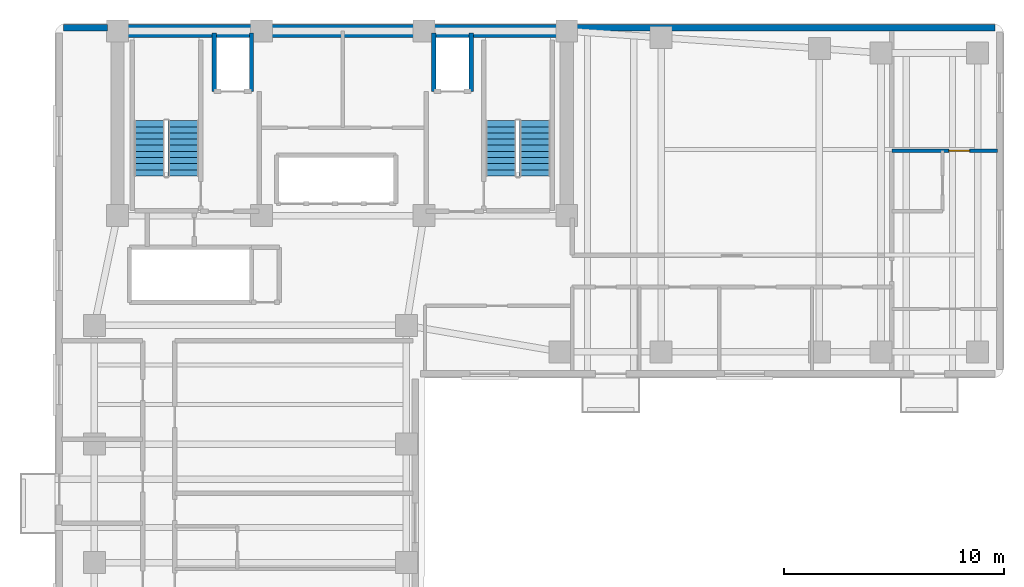
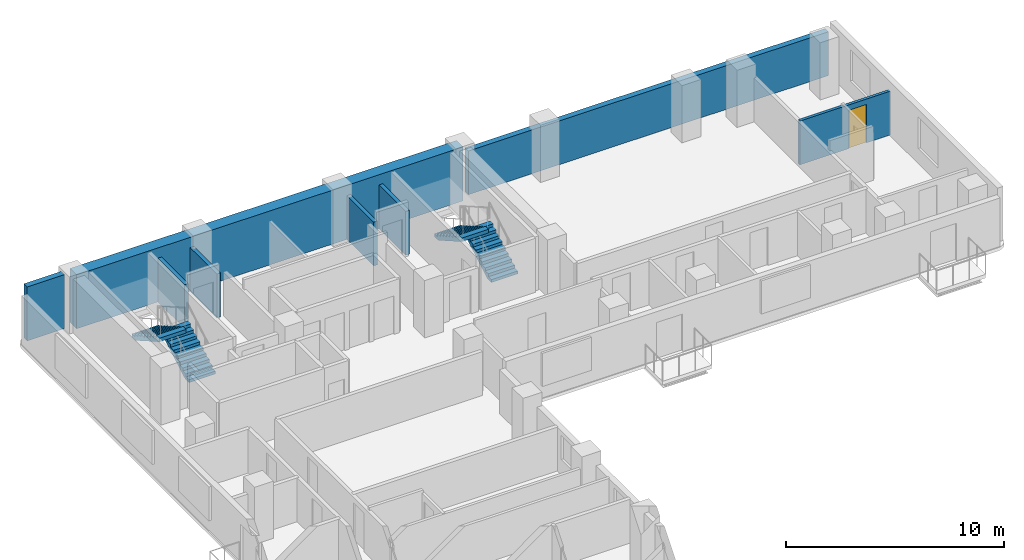
# One storey, part 5 of 7: 8 walls, 4 stair flights, 1 door, 1 opening, 2 elements without a shape of their own.
"""IFC4 building model written with IfcOpenShell, lengths in metres."""

from ifc_helpers import new_model, si_unit, direction, frame, frame_2d, origin, place, context, subcontext, project, spatial, polyline, rectangle, outline, extrude, material, layer, layer_set, type_object, element, fill, aggregate, save


model = new_model("IFC4")

# Units and contexts
model_context = context("Model", 3, precision=1e-05, world=origin(), true_north=direction((0.0, 1.0)))
body_context = subcontext(model_context, "Body", "Model", "MODEL_VIEW")
ifc_project = project(units=[si_unit("LENGTHUNIT", "METRE"), si_unit("AREAUNIT", "SQUARE_METRE"), si_unit("VOLUMEUNIT", "CUBIC_METRE"), si_unit("PLANEANGLEUNIT", "RADIAN"), si_unit("MASSUNIT", "GRAM", prefix="KILO")], contexts=[model_context])

# Site, building, storey
site_placement = place(None, origin())
site = spatial("IfcSite", under=ifc_project, at=site_placement, CompositionType="ELEMENT")
building_placement = place(site_placement, origin())
building = spatial("IfcBuilding", under=site, at=building_placement, Name="Kuzgunbayir Cultural Tower", CompositionType="ELEMENT")
storey_placement = place(building_placement, frame((0.0, 0.0, 139.39990234375)))
storey = spatial("IfcBuildingStorey", under=building, at=storey_placement, Name="L40", CompositionType="ELEMENT", Elevation=139.39990234375)

# Walls
ifc_material_1 = material(Name="Concrete C60/75", Category="concrete")
ifc_layer_1 = layer(ifc_material_1, 0.60009765625)
ifc_layer_set_1 = layer_set([ifc_layer_1], Name="Concrete C60/75")
wall_type_1 = type_object("IfcWallType", Name="WAL-CORE-600", PredefinedType="SHEAR", material=ifc_layer_set_1)
wall_1_placement = place(storey_placement, frame((6.449951171875, 42.199951171875, 0.0), z_axis=(0.0, 0.0, 1.0), x_axis=(1.0, 0.0, 0.0)))
element("IfcWall", 1, at=wall_1_placement, inside=storey, type_object=wall_type_1, Name="L40 T1 Core North Shear Wall", PredefinedType="SHEAR", context=body_context, shape_type="SweptSolid", body=[
    extrude(rectangle(XDim=20.449951171875, YDim=0.60009765625, at=frame_2d((10.22509765625, 0.0))), origin(), (0.0, 0.0, 1.0), 3.02001953125),
])
ifc_material_2 = material(Name="Anatolian Cream Limestone", Category="masonry")
ifc_layer_2 = layer(ifc_material_2, 0.300048828125)
ifc_layer_set_2 = layer_set([ifc_layer_2], Name="Anatolian Cream Limestone")
wall_type_2 = type_object("IfcWallType", Name="WAL-EXT-STONE-300", PredefinedType="STANDARD", material=ifc_layer_set_2)
wall_2_placement = place(storey_placement, frame((46.39990234375, 42.35009765625, 0.0), z_axis=(0.0, 0.0, 1.0), x_axis=(-1.0, 0.0, 0.0)))
element("IfcWall", 2, at=wall_2_placement, inside=storey, type_object=wall_type_2, Name="L40 North Wing B Limestone Wall", PredefinedType="STANDARD", context=body_context, shape_type="SweptSolid", body=[
    extrude(rectangle(XDim=19.0498046875, YDim=0.300048828125, at=frame_2d((9.52490234375, 0.0))), origin(), (0.0, 0.0, 1.0), 2.4501953125),
])
wall_3_placement = place(storey_placement, frame((6.0, 42.35009765625, 0.0), z_axis=(0.0, 0.0, 1.0), x_axis=(-1.0, 0.0, 0.0)))
element("IfcWall", 3, at=wall_3_placement, inside=storey, type_object=wall_type_2, Name="L40 Core North-West Spandrel Link", PredefinedType="STANDARD", context=body_context, shape_type="SweptSolid", body=[
    extrude(rectangle(XDim=2.0, YDim=0.300048828125, at=frame_2d((1.0, 0.0))), origin(), (0.0, 0.0, 1.0), 3.02001953125),
])

# Wall, opening, door
ifc_material_3 = material(Name="Acoustic Double-Stud Drywall", Category="gypsum")
ifc_layer_3 = layer(ifc_material_3, 0.14990234375)
ifc_layer_set_3 = layer_set([ifc_layer_3], Name="Acoustic Double-Stud Drywall")
wall_type_3 = type_object("IfcWallType", Name="WAL-PART-ACOUSTIC-150", PredefinedType="PARTITIONING", material=ifc_layer_set_3)
wall_4_placement = place(storey_placement, frame((41.699951171875, 36.75, 0.0), z_axis=(0.0, 0.0, 1.0), x_axis=(1.0, 0.0, 0.0)))
wall_4 = element("IfcWall", 4, at=wall_4_placement, inside=storey, type_object=wall_type_3, Name="L40 Corner Suite Bedroom Wall", PredefinedType="PARTITIONING", context=body_context, shape_type="SweptSolid", body=[
    extrude(rectangle(XDim=4.800048828125, YDim=0.14990234375, at=frame_2d((2.39990234375, 0.0))), origin(), (0.0, 0.0, 1.0), 2.4501953125),
])
opening_placement = place(wall_4_placement, frame((2.590087890625, 0.0, 0.0)))
opening = element("IfcOpeningElement", 5, at=opening_placement, cuts=wall_4, Name="Opening DI-90", PredefinedType="OPENING", context=body_context, shape_type="SweptSolid", body=[
    extrude(rectangle(XDim=0.949951171875, YDim=2.14990234375, at=frame_2d((0.47509765625, 1.074951171875))), frame((0.0, 0.0849609375, 0.0), z_axis=(0.0, -1.0, 0.0), x_axis=(1.0, 0.0, 0.0)), (0.0, 0.0, 1.0), 0.169921875),
])
ifc_material_4 = material(Name="Veneered Oak Single Leaf", Category="wood")
door_type = type_object("IfcDoorType", Name="DR-INT-90", OperationType="NOTDEFINED", PredefinedType="DOOR", material=ifc_material_4)
door_placement = place(opening_placement, origin())
door = element("IfcDoor", 6, at=door_placement, inside=storey, type_object=door_type, Name="L40 Corner Bedroom Door", OperationType="SINGLE_SWING_LEFT", OverallHeight=2.14990234375, OverallWidth=0.949951171875, PredefinedType="DOOR", context=body_context, shape_type="SweptSolid", body=[
    extrude(rectangle(XDim=0.949951171875, YDim=2.14990234375, at=frame_2d((0.47509765625, 1.074951171875))), frame((0.0, 0.02490234375, 0.0), z_axis=(0.0, -1.0, 0.0), x_axis=(1.0, 0.0, 0.0)), (0.0, 0.0, 1.0), 0.050048828125),
])
fill(opening, door)

# Walls
ifc_material_5 = material(Name="Concrete C40/50", Category="concrete")
ifc_layer_4 = layer(ifc_material_5, 0.199951171875)
ifc_layer_set_4 = layer_set([ifc_layer_4], Name="Concrete C40/50")
wall_type_4 = type_object("IfcWallType", Name="WAL-SHAFT-200", PredefinedType="MOVABLE", material=ifc_layer_set_4)
for number, where, z_axis, x_axis, name in (
    (7, (10.85009765625, 39.449951171875, 0.0), (0.0, 0.0, 1.0), (0.0, 1.0, 0.0), "L40 FFL-1 Shaft West Wall"),
    (8, (12.550048828125, 39.449951171875, 0.0), (0.0, 0.0, 1.0), (0.0, 1.0, 0.0), "L40 FFL-1 Shaft East Wall"),
    (9, (20.85009765625, 39.449951171875, 0.0), (0.0, 0.0, 1.0), (0.0, 1.0, 0.0), "L40 FFL-2 Shaft West Wall"),
    (10, (22.550048828125, 39.449951171875, 0.0), (0.0, 0.0, 1.0), (0.0, 1.0, 0.0), "L40 FFL-2 Shaft East Wall"),
):
    element("IfcWall", number, at=place(storey_placement, frame(where, z_axis=z_axis, x_axis=x_axis)), inside=storey, type_object=wall_type_4, Name=name, PredefinedType="MOVABLE", context=body_context, shape_type="SweptSolid", body=[
        extrude(rectangle(XDim=2.650146484375, YDim=0.199951171875, at=frame_2d((1.3251953125, 0.0))), origin(), (0.0, 0.0, 1.0), 2.4501953125),
    ])

# Stair, stair flights
stair_type = type_object("IfcStairType", Name="STR-EXIT-CORE", PredefinedType="HALF_TURN_STAIR", material=ifc_material_5)
stair_1_placement = place(storey_placement, origin())
stair_1 = element("IfcStair", 11, at=stair_1_placement, inside=storey, type_object=stair_type, Name="L40 ST-1", PredefinedType="HALF_TURN_STAIR")
stair_flight_type = type_object("IfcStairFlightType", Name="STRF-RC-140", PredefinedType="STRAIGHT", material=ifc_material_5)
stair_flight_1_placement = place(storey_placement, frame((9.4599609375, 35.60009765625, 0.0), z_axis=(0.0, 0.0, 1.0), x_axis=(0.0, 1.0, 0.0)))
stair_flight_1 = element("IfcStairFlight", 12, at=stair_flight_1_placement, type_object=stair_flight_type, Name="ST-1 flight 1", NumberOfRisers=10, NumberOfTreads=9, PredefinedType="STRAIGHT", RiserHeight=0.16, TreadLength=0.28, context=body_context, shape_type="SweptSolid", body=[
    extrude(outline(polyline([(0.0, 0.0), (0.0, 0.159912109375), (0.280029296875, 0.159912109375), (0.280029296875, 0.320068359375), (0.56005859375, 0.320068359375), (0.56005859375, 0.47998046875), (0.840087890625, 0.47998046875), (0.840087890625, 0.639892578125), (1.1201171875, 0.639892578125), (1.1201171875, 0.800048828125), (1.39990234375, 0.800048828125), (1.39990234375, 0.9599609375), (1.679931640625, 0.9599609375), (1.679931640625, 1.1201171875), (1.9599609375, 1.1201171875), (1.9599609375, 1.280029296875), (2.239990234375, 1.280029296875), (2.239990234375, 1.43994140625), (2.52001953125, 1.43994140625), (2.52001953125, 1.60009765625), (2.52001953125, 1.232666015625), (0.362548828125, 0.0), (0.0, 0.0)])), frame((0.0, 0.699951171875, 0.0), z_axis=(0.0, -1.0, 0.0), x_axis=(1.0, 0.0, 0.0)), (0.0, 0.0, 1.0), 1.39990234375),
])
stair_flight_2_placement = place(storey_placement, frame((7.89990234375, 38.1201171875, 1.60009765625), z_axis=(0.0, 0.0, 1.0), x_axis=(0.0, -1.0, 0.0)))
stair_flight_2 = element("IfcStairFlight", 13, at=stair_flight_2_placement, type_object=stair_flight_type, Name="ST-1 flight 2", NumberOfRisers=10, NumberOfTreads=9, PredefinedType="STRAIGHT", RiserHeight=0.16, TreadLength=0.28, context=body_context, shape_type="SweptSolid", body=[
    extrude(outline(polyline([(0.0, 0.0), (0.0, 0.159912109375), (0.280029296875, 0.159912109375), (0.280029296875, 0.320068359375), (0.56005859375, 0.320068359375), (0.56005859375, 0.47998046875), (0.840087890625, 0.47998046875), (0.840087890625, 0.639892578125), (1.1201171875, 0.639892578125), (1.1201171875, 0.800048828125), (1.39990234375, 0.800048828125), (1.39990234375, 0.9599609375), (1.679931640625, 0.9599609375), (1.679931640625, 1.1201171875), (1.9599609375, 1.1201171875), (1.9599609375, 1.280029296875), (2.239990234375, 1.280029296875), (2.239990234375, 1.43994140625), (2.52001953125, 1.43994140625), (2.52001953125, 1.60009765625), (2.52001953125, 1.232666015625), (0.362548828125, 0.0), (0.0, 0.0)])), frame((0.0, 0.699951171875, 0.0), z_axis=(0.0, -1.0, 0.0), x_axis=(1.0, 0.0, 0.0)), (0.0, 0.0, 1.0), 1.39990234375),
])
aggregate(stair_1, [stair_flight_1, stair_flight_2])

stair_2_placement = place(storey_placement, origin())
stair_2 = element("IfcStair", 14, at=stair_2_placement, inside=storey, type_object=stair_type, Name="L40 ST-2", PredefinedType="HALF_TURN_STAIR")
stair_flight_3_placement = place(storey_placement, frame((25.4599609375, 35.60009765625, 0.0), z_axis=(0.0, 0.0, 1.0), x_axis=(0.0, 1.0, 0.0)))
stair_flight_3 = element("IfcStairFlight", 15, at=stair_flight_3_placement, type_object=stair_flight_type, Name="ST-2 flight 1", NumberOfRisers=10, NumberOfTreads=9, PredefinedType="STRAIGHT", RiserHeight=0.16, TreadLength=0.28, context=body_context, shape_type="SweptSolid", body=[
    extrude(outline(polyline([(0.0, 0.0), (0.0, 0.159912109375), (0.280029296875, 0.159912109375), (0.280029296875, 0.320068359375), (0.56005859375, 0.320068359375), (0.56005859375, 0.47998046875), (0.840087890625, 0.47998046875), (0.840087890625, 0.639892578125), (1.1201171875, 0.639892578125), (1.1201171875, 0.800048828125), (1.39990234375, 0.800048828125), (1.39990234375, 0.9599609375), (1.679931640625, 0.9599609375), (1.679931640625, 1.1201171875), (1.9599609375, 1.1201171875), (1.9599609375, 1.280029296875), (2.239990234375, 1.280029296875), (2.239990234375, 1.43994140625), (2.52001953125, 1.43994140625), (2.52001953125, 1.60009765625), (2.52001953125, 1.232666015625), (0.362548828125, 0.0), (0.0, 0.0)])), frame((0.0, 0.699951171875, 0.0), z_axis=(0.0, -1.0, 0.0), x_axis=(1.0, 0.0, 0.0)), (0.0, 0.0, 1.0), 1.39990234375),
])
stair_flight_4_placement = place(storey_placement, frame((23.89990234375, 38.1201171875, 1.60009765625), z_axis=(0.0, 0.0, 1.0), x_axis=(0.0, -1.0, 0.0)))
stair_flight_4 = element("IfcStairFlight", 16, at=stair_flight_4_placement, type_object=stair_flight_type, Name="ST-2 flight 2", NumberOfRisers=10, NumberOfTreads=9, PredefinedType="STRAIGHT", RiserHeight=0.16, TreadLength=0.28, context=body_context, shape_type="SweptSolid", body=[
    extrude(outline(polyline([(0.0, 0.0), (0.0, 0.159912109375), (0.280029296875, 0.159912109375), (0.280029296875, 0.320068359375), (0.56005859375, 0.320068359375), (0.56005859375, 0.47998046875), (0.840087890625, 0.47998046875), (0.840087890625, 0.639892578125), (1.1201171875, 0.639892578125), (1.1201171875, 0.800048828125), (1.39990234375, 0.800048828125), (1.39990234375, 0.9599609375), (1.679931640625, 0.9599609375), (1.679931640625, 1.1201171875), (1.9599609375, 1.1201171875), (1.9599609375, 1.280029296875), (2.239990234375, 1.280029296875), (2.239990234375, 1.43994140625), (2.52001953125, 1.43994140625), (2.52001953125, 1.60009765625), (2.52001953125, 1.232666015625), (0.362548828125, 0.0), (0.0, 0.0)])), frame((0.0, 0.699951171875, 0.0), z_axis=(0.0, -1.0, 0.0), x_axis=(1.0, 0.0, 0.0)), (0.0, 0.0, 1.0), 1.39990234375),
])
aggregate(stair_2, [stair_flight_3, stair_flight_4])

save(model, "model.ifc")
